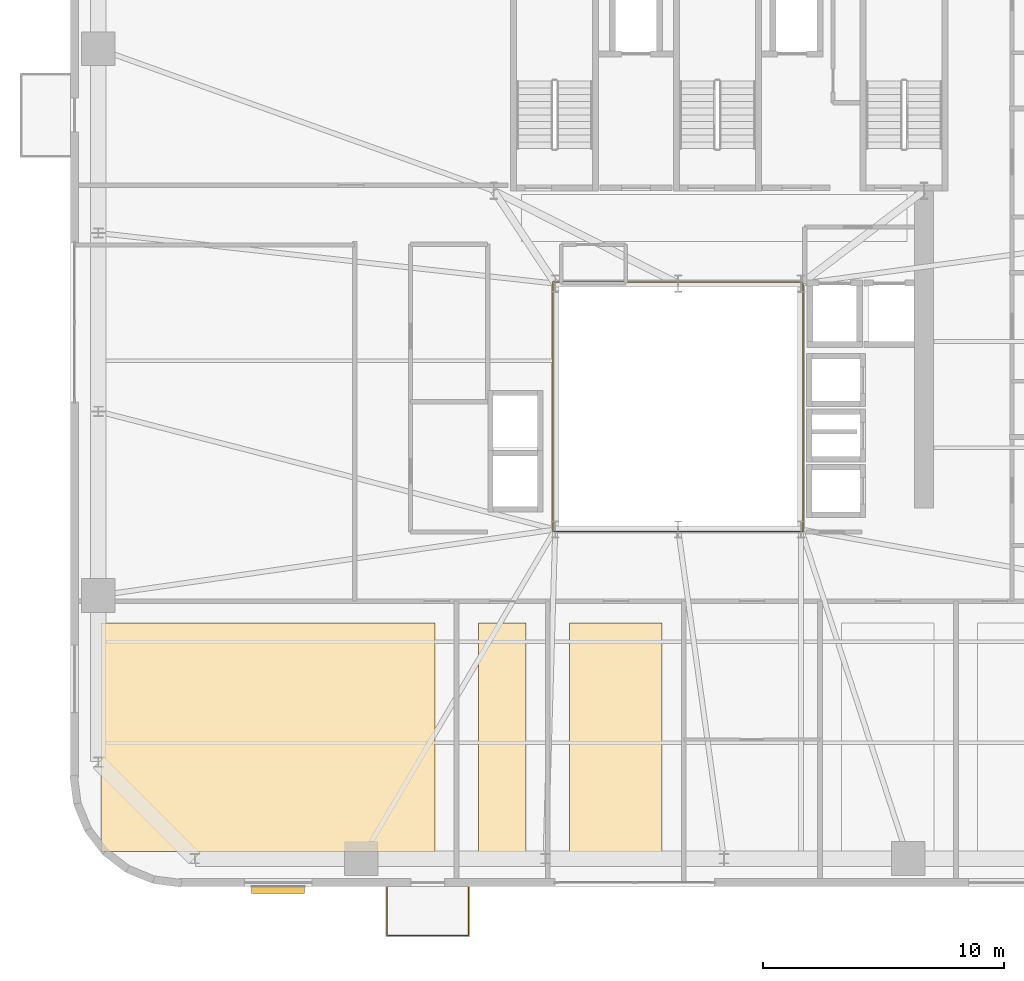
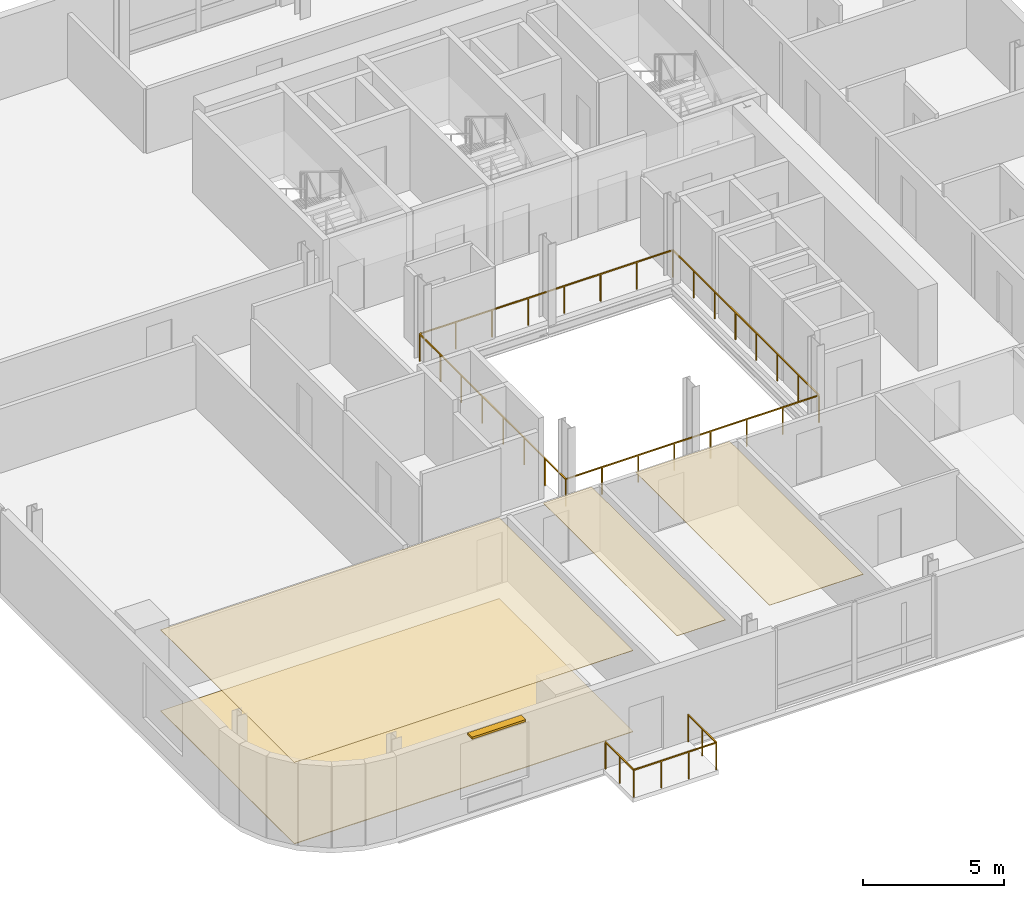
# One storey, part 12 of 16: 4 coverings, 2 railings, 1 shading device.
"""IFC4 building model written with IfcOpenShell, lengths in metres."""

import ifcopenshell
import ifcopenshell.guid

model = None  # the IFC model being written
_history = None  # IfcOwnerHistory: only IFC2X3 demands one
_inside = {}  # id of a spatial element -> (the spatial element, [elements in it])
_under = {}  # id of a project, library or spatial element -> (it, [spatial elements below it])
_declared = {}  # id of a project -> (the project, [libraries it declares])
_typed = {}  # id of a type object -> (the type object, [elements of that type])
_made_of = {}  # id of a material, layer set ... -> (it, [elements and type objects made of it])


def new_model(schema):
    """Start an empty IFC model of exactly this schema.

    Asked for "IFC4X3", IfcOpenShell would pick the latest addendum, in which some entities
    have other attributes; the version numbers below select the first issue.
    IFC2X3 requires an IfcOwnerHistory on every rooted entity: one is made here for all.
    """
    global model, _history
    if schema == "IFC4X3":
        model = ifcopenshell.file(schema_version=(4, 3, 0, 0))
    else:
        model = ifcopenshell.file(schema=schema)
    _inside.clear()
    _under.clear()
    _declared.clear()
    _typed.clear()
    _made_of.clear()
    _history = None
    if model.schema == "IFC2X3":
        org = make("IfcOrganization", Name="unknown")
        user = make(
            "IfcPersonAndOrganization",
            ThePerson=make("IfcPerson", FamilyName="unknown"),
            TheOrganization=org,
        )
        app = make(
            "IfcApplication",
            ApplicationDeveloper=org,
            Version="unknown",
            ApplicationFullName="unknown",
            ApplicationIdentifier="unknown",
        )
        _history = make(
            "IfcOwnerHistory",
            OwningUser=user,
            OwningApplication=app,
            ChangeAction="ADDED",
            CreationDate=0,
        )
    return model


def make(cls, **values):
    """One entity of the class cls with the attributes given. An attribute that is None is left unset."""
    return model.create_entity(
        cls, **{name: value for name, value in values.items() if value is not None}
    )


def rooted(cls, **values):
    """An entity with a GlobalId (a new one), such as an element, a storey or a relation."""
    return make(cls, GlobalId=ifcopenshell.guid.new(), OwnerHistory=_history, **values)


def si_unit(unit_type, name, prefix=None):
    """IfcSIUnit, for example si_unit("LENGTHUNIT", "METRE", prefix="MILLI")."""
    return make("IfcSIUnit", UnitType=unit_type, Prefix=prefix, Name=name)


def assignment(units):
    """IfcUnitAssignment: the units of a project."""
    return None if units is None else make("IfcUnitAssignment", Units=units)


def point(xyz):
    """IfcCartesianPoint."""
    return None if xyz is None else make("IfcCartesianPoint", Coordinates=xyz)


def direction(xyz):
    """IfcDirection."""
    return None if xyz is None else make("IfcDirection", DirectionRatios=xyz)


def frame(location, z_axis=None, x_axis=None):
    """IfcAxis2Placement3D, a coordinate frame: its origin and axes. An axis left out is left unset."""
    return make(
        "IfcAxis2Placement3D",
        Location=point(location),
        Axis=direction(z_axis),
        RefDirection=direction(x_axis),
    )


def frame_2d(location, x_axis=None):
    """IfcAxis2Placement2D, a coordinate frame in the plane: its origin and x axis."""
    return make(
        "IfcAxis2Placement2D", Location=point(location), RefDirection=direction(x_axis)
    )


def origin():
    """The frame at (0, 0, 0) with its axes left unset."""
    return frame((0.0, 0.0, 0.0))


def origin_2d():
    """The frame at (0, 0) in the plane with its x axis left unset."""
    return frame_2d((0.0, 0.0))


def place(relative_to, where):
    """IfcLocalPlacement: puts the frame where relative to a parent placement (None: the world)."""
    return make(
        "IfcLocalPlacement", PlacementRelTo=relative_to, RelativePlacement=where
    )


def context(
    kind, dimensions, precision=None, world=None, true_north=None, identifier=None
):
    """IfcGeometricRepresentationContext, for example the 3D "Model" context."""
    return make(
        "IfcGeometricRepresentationContext",
        ContextIdentifier=identifier,
        ContextType=kind,
        CoordinateSpaceDimension=dimensions,
        Precision=precision,
        WorldCoordinateSystem=world,
        TrueNorth=true_north,
    )


def subcontext(parent, identifier, kind, view, scale=None):
    """IfcGeometricRepresentationSubContext, for example "Body" below "Model"."""
    return make(
        "IfcGeometricRepresentationSubContext",
        ContextIdentifier=identifier,
        ContextType=kind,
        ParentContext=parent,
        TargetScale=scale,
        TargetView=view,
    )


def project(units=None, contexts=None):
    """IfcProject with its units and contexts."""
    return rooted(
        "IfcProject",
        Name="project",
        RepresentationContexts=contexts,
        UnitsInContext=assignment(units),
    )


def spatial(cls, under=None, at=None, **own):
    """A site, building, storey or space (cls), placed at a placement, below another one or the project."""
    s = rooted(cls, ObjectPlacement=at, **own)
    if under is not None:
        _under.setdefault(under.id(), (under, []))[1].append(s)
    return s


def polyline(points):
    """IfcPolyline through the points."""
    return make("IfcPolyline", Points=[point(p) for p in points])


def profile(cls, at=None, kind="AREA", **sizes):
    """A parametric profile (cls). Its sizes go by their IFC names, for example OverallWidth=200.0."""
    return make(cls, ProfileType=kind, Position=at, **sizes)


def rectangle(**sizes):
    """IfcRectangleProfileDef."""
    return profile("IfcRectangleProfileDef", **sizes)


def outline(outer, holes=None, kind="AREA"):
    """IfcArbitraryClosedProfileDef: a profile drawn as a closed curve; with holes, ...WithVoids."""
    if holes is None:
        return make("IfcArbitraryClosedProfileDef", ProfileType=kind, OuterCurve=outer)
    return make(
        "IfcArbitraryProfileDefWithVoids",
        ProfileType=kind,
        OuterCurve=outer,
        InnerCurves=holes,
    )


def extrude(swept, where, along, depth):
    """IfcExtrudedAreaSolid: the profile swept, set in the frame where, extruded along a direction by depth."""
    return make(
        "IfcExtrudedAreaSolid",
        SweptArea=swept,
        Position=where,
        ExtrudedDirection=direction(along),
        Depth=depth,
    )


def shape(context_of_items, identifier, shape_type, items):
    """IfcShapeRepresentation: the items that make up one representation, for example the "Body"."""
    return make(
        "IfcShapeRepresentation",
        ContextOfItems=context_of_items,
        RepresentationIdentifier=identifier,
        RepresentationType=shape_type,
        Items=items,
    )


def source(mapping_origin, context_of_items, identifier, shape_type, items):
    """IfcRepresentationMap: a shape defined once, which mapped items show again and again."""
    return make(
        "IfcRepresentationMap",
        MappingOrigin=mapping_origin,
        MappedRepresentation=shape(context_of_items, identifier, shape_type, items),
    )


def transform(
    local_origin,
    x_axis=None,
    y_axis=None,
    z_axis=None,
    scale=None,
    scale2=None,
    scale3=None,
    uniform=True,
):
    """IfcCartesianTransformationOperator3D, or its non-uniform kind. x_axis, y_axis, z_axis: its Axis1, 2, 3."""
    if uniform:
        return make(
            "IfcCartesianTransformationOperator3D",
            Axis1=direction(x_axis),
            Axis2=direction(y_axis),
            LocalOrigin=point(local_origin),
            Scale=scale,
            Axis3=direction(z_axis),
        )
    return make(
        "IfcCartesianTransformationOperator3DnonUniform",
        Axis1=direction(x_axis),
        Axis2=direction(y_axis),
        LocalOrigin=point(local_origin),
        Scale=scale,
        Axis3=direction(z_axis),
        Scale2=scale2,
        Scale3=scale3,
    )


def mapped(mapping_source, mapping_target):
    """IfcMappedItem: shows the shape of a source again, moved by a transform."""
    return make(
        "IfcMappedItem", MappingSource=mapping_source, MappingTarget=mapping_target
    )


def material(Name=None, Category=None):
    """IfcMaterial."""
    return make("IfcMaterial", Name=Name, Category=Category)


def layer(
    of_material, thickness, ventilated=None, Name=None, Category=None, Priority=None
):
    """IfcMaterialLayer: one layer of a wall or slab, of a material (None: an air gap)."""
    return make(
        "IfcMaterialLayer",
        Material=of_material,
        LayerThickness=thickness,
        IsVentilated=ventilated,
        Name=Name,
        Category=Category,
        Priority=Priority,
    )


def layer_set(layers, Name=None):
    """IfcMaterialLayerSet."""
    return make("IfcMaterialLayerSet", MaterialLayers=layers, LayerSetName=Name)


def made_of(thing, what):
    """Note that an element or type object is made of a material, layer set ...; save() writes the relation."""
    if what is not None:
        _made_of.setdefault(what.id(), (what, []))[1].append(thing)
    return thing


def type_object(cls, material=None, **own):
    """A type object (cls), such as IfcWallType, which elements share."""
    return made_of(rooted(cls, **own), material)


def element(
    cls,
    number,
    at=None,
    inside=None,
    cuts=None,
    type_object=None,
    material=None,
    context=None,
    identifier="Body",
    shape_type=None,
    held_by="IfcProductDefinitionShape",
    body=None,
    shapes=None,
    **own,
):
    """One element of the class cls, such as IfcWall. Its Tag is "e" and its number.

    at: its placement. inside: the storey or other place that contains it. cuts: it is an
    opening in that element (IfcRelVoidsElement). A single representation is given by context,
    identifier, shape_type and body (its items); several are given by shapes. held_by: the class
    of the entity that holds the representations. save() writes the other relations.
    """
    e = rooted(cls, Tag="e%d" % number, ObjectPlacement=at, **own)
    if body is not None:
        shapes = [shape(context, identifier, shape_type, body)]
    if shapes is not None:
        e.Representation = make(held_by, Representations=shapes)
    if inside is not None:
        _inside.setdefault(inside.id(), (inside, []))[1].append(e)
    if cuts is not None:
        rooted(
            "IfcRelVoidsElement", RelatingBuildingElement=cuts, RelatedOpeningElement=e
        )
    if type_object is not None:
        _typed.setdefault(type_object.id(), (type_object, []))[1].append(e)
    return made_of(e, material)


def aggregate(whole, parts):
    """IfcRelAggregates: a whole, such as a stair, and the parts it consists of."""
    return rooted("IfcRelAggregates", RelatingObject=whole, RelatedObjects=parts)


def save(model, path):
    """Write the relations noted so far, then the file.

    IfcRelAggregates (storeys below a building ...), IfcRelContainedInSpatialStructure (elements
    in a storey), IfcRelDefinesByType, IfcRelAssociatesMaterial and IfcRelDeclares: one each for
    every whole, place, type object, material and project.
    """
    for whole, parts in _under.values():
        aggregate(whole, parts)
    for where, things in _inside.values():
        rooted(
            "IfcRelContainedInSpatialStructure",
            RelatedElements=things,
            RelatingStructure=where,
        )
    for kind, things in _typed.values():
        rooted("IfcRelDefinesByType", RelatedObjects=things, RelatingType=kind)
    for what, things in _made_of.values():
        rooted("IfcRelAssociatesMaterial", RelatedObjects=things, RelatingMaterial=what)
    for by, libraries in _declared.values():
        rooted("IfcRelDeclares", RelatingContext=by, RelatedDefinitions=libraries)
    model.write(path)


model = new_model("IFC4")

# Units and contexts
model_context = context("Model", 3, precision=1e-05, world=origin(), true_north=direction((0.0, 1.0)))
body_context = subcontext(model_context, "Body", "Model", "MODEL_VIEW")
ifc_project = project(units=[si_unit("LENGTHUNIT", "METRE"), si_unit("AREAUNIT", "SQUARE_METRE"), si_unit("VOLUMEUNIT", "CUBIC_METRE"), si_unit("PLANEANGLEUNIT", "RADIAN"), si_unit("MASSUNIT", "GRAM", prefix="KILO")], contexts=[model_context])

# Site, building, storey
site_placement = place(None, origin())
site = spatial("IfcSite", under=ifc_project, at=site_placement, CompositionType="ELEMENT")
building_placement = place(site_placement, origin())
building = spatial("IfcBuilding", under=site, at=building_placement, Name="Vardaveli Station Tower", CompositionType="ELEMENT")
storey_placement = place(building_placement, frame((0.0, 0.0, 226.050048828125)))
storey = spatial("IfcBuildingStorey", under=building, at=storey_placement, Name="L58", CompositionType="ELEMENT", Elevation=226.050048828125)

# Coverings
ifc_material_1 = material(Name="Perforated acoustic mineral ceiling")
ifc_layer_1 = layer(ifc_material_1, 0.02001953125, Name="Perforated acoustic mineral ceiling")
ifc_layer_set_1 = layer_set([ifc_layer_1], Name="Perforated acoustic mineral ceiling")
covering_type_1 = type_object("IfcCoveringType", Name="COV-CEIL-AC20", PredefinedType="CEILING", material=ifc_layer_set_1)
covering_1_placement = place(storey_placement, frame((0.0, 0.0, 3.514892578125)))
element("IfcCovering", 1, at=covering_1_placement, inside=storey, type_object=covering_type_1, Name="CEIL-L58-1", PredefinedType="CEILING", context=body_context, shape_type="SweptSolid", body=[
    extrude(outline(polyline([(12.35009765625, 3.25), (26.21044921875, 3.25), (26.21044921875, 12.72998046875), (12.35009765625, 12.72998046875), (12.35009765625, 3.25)])), origin(), (0.0, 0.0, 1.0), 0.02001953125),
])
covering_2_placement = place(storey_placement, frame((0.0, 0.0, 3.514892578125)))
element("IfcCovering", 2, at=covering_2_placement, inside=storey, type_object=covering_type_1, Name="CEIL-L58-2", PredefinedType="CEILING", context=body_context, shape_type="SweptSolid", body=[
    extrude(outline(polyline([(28.010498046875, 3.25), (29.992431640625, 3.25), (29.992431640625, 12.72998046875), (28.010498046875, 12.72998046875), (28.010498046875, 3.25)])), origin(), (0.0, 0.0, 1.0), 0.02001953125),
])
covering_3_placement = place(storey_placement, frame((0.0, 0.0, 3.514892578125)))
element("IfcCovering", 3, at=covering_3_placement, inside=storey, type_object=covering_type_1, Name="CEIL-L58-3", PredefinedType="CEILING", context=body_context, shape_type="SweptSolid", body=[
    extrude(outline(polyline([(31.79248046875, 3.25), (35.635009765625, 3.25), (35.635009765625, 12.72998046875), (31.79248046875, 12.72998046875), (31.79248046875, 3.25)])), origin(), (0.0, 0.0, 1.0), 0.02001953125),
])
ifc_material_2 = material(Name="Honed Caucasian basalt and travertine flooring", Category="masonry")
ifc_layer_2 = layer(ifc_material_2, 0.030029296875, Name="Honed Caucasian basalt and travertine flooring")
ifc_layer_set_2 = layer_set([ifc_layer_2], Name="Honed Caucasian basalt and travertine flooring")
covering_type_2 = type_object("IfcCoveringType", Name="COV-FLOOR-ST30", PredefinedType="FLOORING", material=ifc_layer_set_2)
covering_4_placement = place(storey_placement, origin())
element("IfcCovering", 4, at=covering_4_placement, inside=storey, type_object=covering_type_2, Name="FLR-L58-1", PredefinedType="FLOORING", context=body_context, shape_type="SweptSolid", body=[
    extrude(outline(polyline([(12.35009765625, 3.25), (26.21044921875, 3.25), (26.21044921875, 12.72998046875), (12.35009765625, 12.72998046875), (12.35009765625, 3.25)])), origin(), (0.0, 0.0, 1.0), 0.030029296875),
])

# Railing
ifc_material_3 = material(Name="Laminated glass and stainless steel balustrade", Category="steel")
railing_type = type_object("IfcRailingType", Name="RL-BAL-1200", PredefinedType="BALUSTRADE", material=ifc_material_3)
shared_shape_1 = source(origin(), body_context, "Body", "SweptSolid", [
    extrude(rectangle(XDim=0.048095703125, YDim=0.048095703125, at=origin_2d()), frame((0.0, 0.0, 1.17578125), z_axis=(0.0, -1.0, 0.0), x_axis=(1.0, 0.0, 0.0)), (0.0, 0.0, 1.0), 2.0),
    extrude(rectangle(XDim=0.048095703125, YDim=0.048095703125, at=origin_2d()), frame((0.0, -2.0, 1.17578125), z_axis=(1.0, 0.0, 0.0), x_axis=(0.0, 1.0, 0.0)), (0.0, 0.0, 1.0), 3.3798828125),
    extrude(rectangle(XDim=0.048095703125, YDim=0.048095703125, at=origin_2d()), frame((3.3798828125, -2.0, 1.17578125), z_axis=(0.0, 1.0, 0.0), x_axis=(-1.0, 0.0, 0.0)), (0.0, 0.0, 1.0), 2.0),
    extrude(rectangle(XDim=0.0419921875, YDim=0.0419921875, at=origin_2d()), origin(), (0.0, 0.0, 1.0), 1.15185546875),
    extrude(rectangle(XDim=0.0419921875, YDim=0.0419921875, at=origin_2d()), frame((0.0, -1.0, 0.0)), (0.0, 0.0, 1.0), 1.15185546875),
    extrude(rectangle(XDim=0.0419921875, YDim=0.0419921875, at=origin_2d()), frame((0.0, -2.0, 0.0)), (0.0, 0.0, 1.0), 1.15185546875),
    extrude(rectangle(XDim=0.0419921875, YDim=0.0419921875, at=origin_2d()), frame((1.126708984375, -2.0, 0.0)), (0.0, 0.0, 1.0), 1.15185546875),
    extrude(rectangle(XDim=0.0419921875, YDim=0.0419921875, at=origin_2d()), frame((2.253173828125, -2.0, 0.0)), (0.0, 0.0, 1.0), 1.15185546875),
    extrude(rectangle(XDim=0.0419921875, YDim=0.0419921875, at=origin_2d()), frame((3.3798828125, -2.0, 0.0)), (0.0, 0.0, 1.0), 1.15185546875),
    extrude(rectangle(XDim=0.0419921875, YDim=0.0419921875, at=origin_2d()), frame((3.3798828125, -1.0, 0.0)), (0.0, 0.0, 1.0), 1.15185546875),
    extrude(rectangle(XDim=0.0419921875, YDim=0.0419921875, at=origin_2d()), frame((3.3798828125, 0.0, 0.0)), (0.0, 0.0, 1.0), 1.15185546875),
])
railing_1_placement = place(storey_placement, frame((24.220458984375, 1.760009765625, 0.0)))
element("IfcRailing", 5, at=railing_1_placement, inside=storey, type_object=railing_type, Name="RL-LOG-L58-01", PredefinedType="BALUSTRADE", context=body_context, shape_type="MappedRepresentation", body=[
    mapped(shared_shape_1, transform((0.0, 0.0, 0.0), scale=1.0)),
])

# Shading device
ifc_material_4 = material(Name="Anodised champagne aluminium sunshade", Category="aluminium")
ifc_layer_3 = layer(ifc_material_4, 0.090087890625, Name="Anodised champagne aluminium sunshade")
ifc_layer_set_3 = layer_set([ifc_layer_3], Name="Anodised champagne aluminium sunshade")
shading_device_type = type_object("IfcShadingDeviceType", Name="SHD-SUNSHADE", PredefinedType="USERDEFINED", material=ifc_layer_set_3)
shared_shape_2 = source(origin(), body_context, "Body", "SweptSolid", [
    extrude(rectangle(XDim=2.199951171875, YDim=0.320068359375, at=origin_2d()), origin(), (0.0, 0.0, 1.0), 0.090087890625),
])
shading_device_placement = place(storey_placement, frame((19.705078125, 1.655029296875, 3.40966796875), z_axis=(0.0, 0.0, 1.0), x_axis=(1.0, 0.0, 0.0)))
element("IfcShadingDevice", 6, at=shading_device_placement, inside=storey, type_object=shading_device_type, Name="SHD-SS-L58-S", ObjectType="SUNSHADE", PredefinedType="USERDEFINED", context=body_context, shape_type="MappedRepresentation", body=[
    mapped(shared_shape_2, transform((0.0, 0.0, 0.0), scale=1.0)),
])

# Railing
shared_shape_3 = source(origin(), body_context, "Body", "SweptSolid", [
    extrude(rectangle(XDim=0.048095703125, YDim=0.048095703125, at=origin_2d()), frame((0.0, 0.0, 1.17578125), z_axis=(1.0, 0.0, 0.0), x_axis=(0.0, 1.0, 0.0)), (0.0, 0.0, 1.0), 10.35986328125),
    extrude(rectangle(XDim=0.048095703125, YDim=0.048095703125, at=origin_2d()), frame((10.35986328125, 0.0, 1.17578125), z_axis=(0.0, 1.0, 0.0), x_axis=(-1.0, 0.0, 0.0)), (0.0, 0.0, 1.0), 10.35986328125),
    extrude(rectangle(XDim=0.048095703125, YDim=0.048095703125, at=origin_2d()), frame((10.35986328125, 10.35986328125, 1.17578125), z_axis=(-1.0, 0.0, 0.0), x_axis=(0.0, -1.0, 0.0)), (0.0, 0.0, 1.0), 10.35986328125),
    extrude(rectangle(XDim=0.048095703125, YDim=0.048095703125, at=origin_2d()), frame((0.0, 10.35986328125, 1.17578125), z_axis=(0.0, -1.0, 0.0), x_axis=(1.0, 0.0, 0.0)), (0.0, 0.0, 1.0), 10.35986328125),
    extrude(rectangle(XDim=0.0419921875, YDim=0.0419921875, at=origin_2d()), origin(), (0.0, 0.0, 1.0), 1.15185546875),
    extrude(rectangle(XDim=0.0419921875, YDim=0.0419921875, at=origin_2d()), frame((1.47998046875, 0.0, 0.0)), (0.0, 0.0, 1.0), 1.15185546875),
    extrude(rectangle(XDim=0.0419921875, YDim=0.0419921875, at=origin_2d()), frame((2.9599609375, 0.0, 0.0)), (0.0, 0.0, 1.0), 1.15185546875),
    extrude(rectangle(XDim=0.0419921875, YDim=0.0419921875, at=origin_2d()), frame((4.43994140625, 0.0, 0.0)), (0.0, 0.0, 1.0), 1.15185546875),
    extrude(rectangle(XDim=0.0419921875, YDim=0.0419921875, at=origin_2d()), frame((5.919921875, 0.0, 0.0)), (0.0, 0.0, 1.0), 1.15185546875),
    extrude(rectangle(XDim=0.0419921875, YDim=0.0419921875, at=origin_2d()), frame((7.39990234375, 0.0, 0.0)), (0.0, 0.0, 1.0), 1.15185546875),
    extrude(rectangle(XDim=0.0419921875, YDim=0.0419921875, at=origin_2d()), frame((8.8798828125, 0.0, 0.0)), (0.0, 0.0, 1.0), 1.15185546875),
    extrude(rectangle(XDim=0.0419921875, YDim=0.0419921875, at=origin_2d()), frame((10.35986328125, 0.0, 0.0)), (0.0, 0.0, 1.0), 1.15185546875),
    extrude(rectangle(XDim=0.0419921875, YDim=0.0419921875, at=origin_2d()), frame((10.35986328125, 1.47998046875, 0.0)), (0.0, 0.0, 1.0), 1.15185546875),
    extrude(rectangle(XDim=0.0419921875, YDim=0.0419921875, at=origin_2d()), frame((10.35986328125, 2.9599609375, 0.0)), (0.0, 0.0, 1.0), 1.15185546875),
    extrude(rectangle(XDim=0.0419921875, YDim=0.0419921875, at=origin_2d()), frame((10.35986328125, 4.43994140625, 0.0)), (0.0, 0.0, 1.0), 1.15185546875),
    extrude(rectangle(XDim=0.0419921875, YDim=0.0419921875, at=origin_2d()), frame((10.35986328125, 5.919921875, 0.0)), (0.0, 0.0, 1.0), 1.15185546875),
    extrude(rectangle(XDim=0.0419921875, YDim=0.0419921875, at=origin_2d()), frame((10.35986328125, 7.39990234375, 0.0)), (0.0, 0.0, 1.0), 1.15185546875),
    extrude(rectangle(XDim=0.0419921875, YDim=0.0419921875, at=origin_2d()), frame((10.35986328125, 8.8798828125, 0.0)), (0.0, 0.0, 1.0), 1.15185546875),
    extrude(rectangle(XDim=0.0419921875, YDim=0.0419921875, at=origin_2d()), frame((10.35986328125, 10.35986328125, 0.0)), (0.0, 0.0, 1.0), 1.15185546875),
    extrude(rectangle(XDim=0.0419921875, YDim=0.0419921875, at=origin_2d()), frame((8.8798828125, 10.35986328125, 0.0)), (0.0, 0.0, 1.0), 1.15185546875),
    extrude(rectangle(XDim=0.0419921875, YDim=0.0419921875, at=origin_2d()), frame((7.39990234375, 10.35986328125, 0.0)), (0.0, 0.0, 1.0), 1.15185546875),
    extrude(rectangle(XDim=0.0419921875, YDim=0.0419921875, at=origin_2d()), frame((5.919921875, 10.35986328125, 0.0)), (0.0, 0.0, 1.0), 1.15185546875),
    extrude(rectangle(XDim=0.0419921875, YDim=0.0419921875, at=origin_2d()), frame((4.43994140625, 10.35986328125, 0.0)), (0.0, 0.0, 1.0), 1.15185546875),
    extrude(rectangle(XDim=0.0419921875, YDim=0.0419921875, at=origin_2d()), frame((2.9599609375, 10.35986328125, 0.0)), (0.0, 0.0, 1.0), 1.15185546875),
    extrude(rectangle(XDim=0.0419921875, YDim=0.0419921875, at=origin_2d()), frame((1.47998046875, 10.35986328125, 0.0)), (0.0, 0.0, 1.0), 1.15185546875),
    extrude(rectangle(XDim=0.0419921875, YDim=0.0419921875, at=origin_2d()), frame((0.0, 10.35986328125, 0.0)), (0.0, 0.0, 1.0), 1.15185546875),
    extrude(rectangle(XDim=0.0419921875, YDim=0.0419921875, at=origin_2d()), frame((0.0, 8.8798828125, 0.0)), (0.0, 0.0, 1.0), 1.15185546875),
    extrude(rectangle(XDim=0.0419921875, YDim=0.0419921875, at=origin_2d()), frame((0.0, 7.39990234375, 0.0)), (0.0, 0.0, 1.0), 1.15185546875),
    extrude(rectangle(XDim=0.0419921875, YDim=0.0419921875, at=origin_2d()), frame((0.0, 5.919921875, 0.0)), (0.0, 0.0, 1.0), 1.15185546875),
    extrude(rectangle(XDim=0.0419921875, YDim=0.0419921875, at=origin_2d()), frame((0.0, 4.43994140625, 0.0)), (0.0, 0.0, 1.0), 1.15185546875),
    extrude(rectangle(XDim=0.0419921875, YDim=0.0419921875, at=origin_2d()), frame((0.0, 2.9599609375, 0.0)), (0.0, 0.0, 1.0), 1.15185546875),
    extrude(rectangle(XDim=0.0419921875, YDim=0.0419921875, at=origin_2d()), frame((0.0, 1.47998046875, 0.0)), (0.0, 0.0, 1.0), 1.15185546875),
])
railing_2_placement = place(storey_placement, frame((31.1201171875, 16.52001953125, 0.0)))
element("IfcRailing", 7, at=railing_2_placement, inside=storey, type_object=railing_type, Name="RL-ATR-L58", PredefinedType="BALUSTRADE", context=body_context, shape_type="MappedRepresentation", body=[
    mapped(shared_shape_3, transform((0.0, 0.0, 0.0), scale=1.0)),
])

save(model, "model.ifc")
